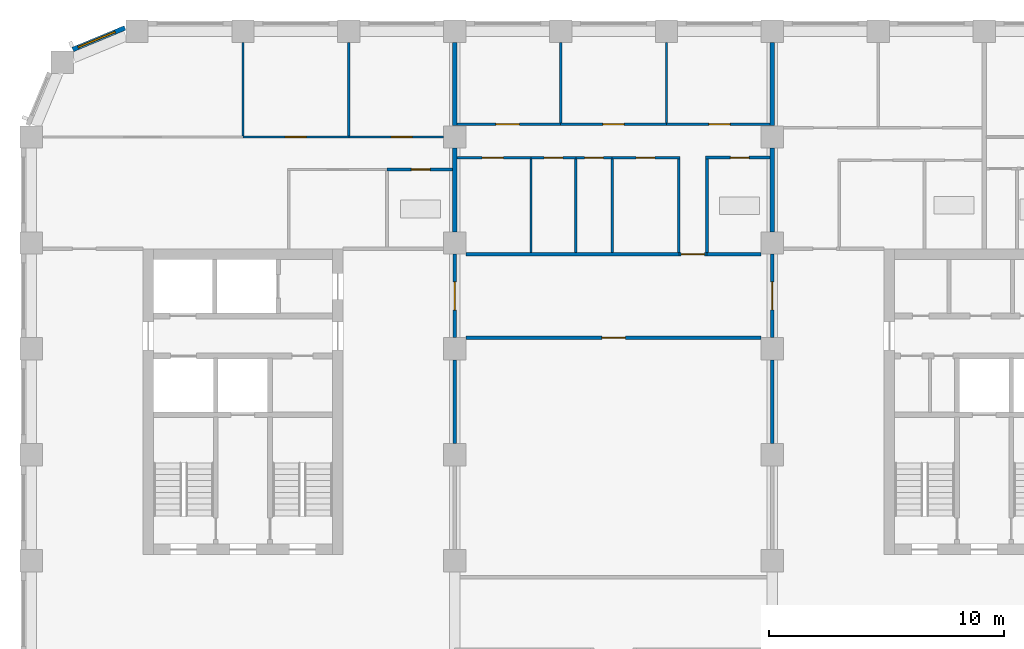
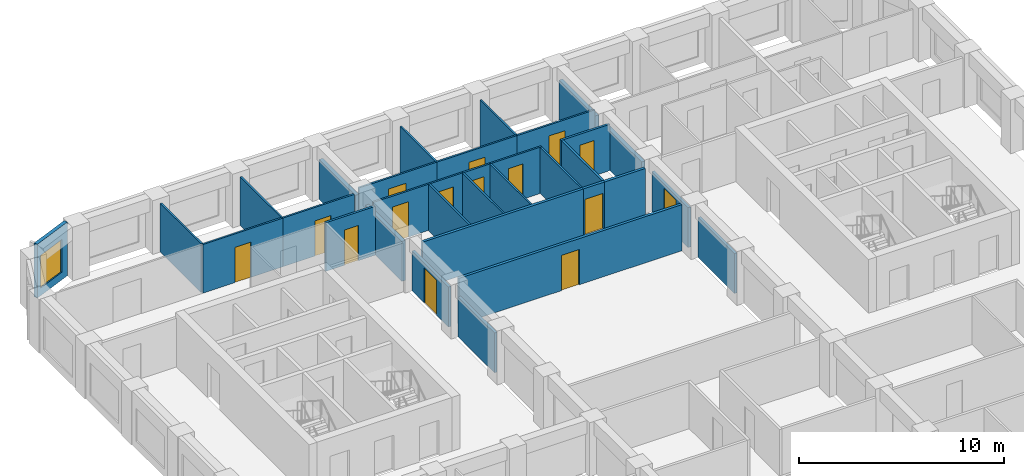
# One storey, part 7 of 13: 33 walls, 15 doors, 1 window, 16 openings.
"""IFC4 building model written with IfcOpenShell, lengths in metres."""

from ifc_helpers import new_model, si_unit, direction, frame, frame_2d, origin, place, context, subcontext, project, spatial, rectangle, extrude, material, layer, layer_set, type_object, element, fill, save


model = new_model("IFC4")

# Units and contexts
model_context = context("Model", 3, precision=1e-05, world=origin(), true_north=direction((0.0, 1.0)))
body_context = subcontext(model_context, "Body", "Model", "MODEL_VIEW")
ifc_project = project(units=[si_unit("LENGTHUNIT", "METRE"), si_unit("AREAUNIT", "SQUARE_METRE"), si_unit("VOLUMEUNIT", "CUBIC_METRE"), si_unit("PLANEANGLEUNIT", "RADIAN"), si_unit("MASSUNIT", "GRAM", prefix="KILO")], contexts=[model_context])

# Site, building, storey
site_placement = place(None, origin())
site = spatial("IfcSite", under=ifc_project, at=site_placement, CompositionType="ELEMENT")
building_placement = place(site_placement, origin())
building = spatial("IfcBuilding", under=site, at=building_placement, Name="Girih Gate Residences", CompositionType="ELEMENT")
storey_placement = place(building_placement, frame((0.0, 0.0, 136.60009765625)))
storey = spatial("IfcBuildingStorey", under=building, at=storey_placement, Name="L38", CompositionType="ELEMENT", Elevation=136.60009765625)

# Wall
ifc_material_1 = material(Name="Gypsum board on steel studs", Category="steel")
ifc_layer_1 = layer(ifc_material_1, 0.14990234375)
ifc_layer_set_1 = layer_set([ifc_layer_1], Name="Compartment wall 150 mm")
wall_type_1 = type_object("IfcWallType", Name="Compartment wall 150 mm", PredefinedType="PARTITIONING", material=ifc_layer_set_1)
wall_1_placement = place(storey_placement, frame((28.72509765625, 40.02490234375, 0.0), z_axis=(0.0, 0.0, 1.0), x_axis=(1.0, 0.0, 0.0)))
element("IfcWall", 1, at=wall_1_placement, inside=storey, type_object=wall_type_1, Name="L38 partition", PredefinedType="PARTITIONING", context=body_context, shape_type="SweptSolid", body=[
    extrude(rectangle(XDim=2.2998046875, YDim=0.14990234375, at=frame_2d((1.14990234375, 0.0))), origin(), (0.0, 0.0, 1.0), 2.75),
])

# Wall, opening, door
wall_2_placement = place(storey_placement, frame((27.52490234375, 40.02490234375, 0.0), z_axis=(0.0, 0.0, 1.0), x_axis=(1.0, 0.0, 0.0)))
wall_2 = element("IfcWall", 2, at=wall_2_placement, inside=storey, type_object=wall_type_1, Name="L38 partition", PredefinedType="PARTITIONING", context=body_context, shape_type="SweptSolid", body=[
    extrude(rectangle(XDim=1.2001953125, YDim=0.14990234375, at=frame_2d((0.60009765625, 0.0))), origin(), (0.0, 0.0, 1.0), 2.75),
])
opening_1_placement = place(wall_2_placement, frame((0.10009765625, 0.0, 0.0)))
opening_1 = element("IfcOpeningElement", 3, at=opening_1_placement, cuts=wall_2, Name="Opening A38-045", PredefinedType="OPENING", context=body_context, shape_type="SweptSolid", body=[
    extrude(rectangle(XDim=1.0, YDim=2.10009765625, at=frame_2d((0.5, 1.050048828125))), frame((0.0, 0.0849609375, 0.0), z_axis=(0.0, -1.0, 0.0), x_axis=(1.0, 0.0, 0.0)), (0.0, 0.0, 1.0), 0.169921875),
])
ifc_material_2 = material(Name="Timber, fire-rated core", Category="wood")
door_type_1 = type_object("IfcDoorType", Name="Flat entrance door 1000x2100 FD30S", OperationType="NOTDEFINED", PredefinedType="DOOR", material=ifc_material_2)
door_1_placement = place(opening_1_placement, origin())
door_1 = element("IfcDoor", 4, at=door_1_placement, inside=storey, type_object=door_type_1, Name="Door A38-045", OperationType="SINGLE_SWING_RIGHT", OverallHeight=2.10009765625, OverallWidth=1.0, PredefinedType="DOOR", context=body_context, shape_type="SweptSolid", body=[
    extrude(rectangle(XDim=1.0, YDim=2.10009765625, at=frame_2d((0.5, 1.050048828125))), frame((0.0, 0.02490234375, 0.0), z_axis=(0.0, -1.0, 0.0), x_axis=(1.0, 0.0, 0.0)), (0.0, 0.0, 1.0), 0.050048828125),
])
fill(opening_1, door_1)

# Wall
wall_3_placement = place(storey_placement, frame((18.47509765625, 40.02490234375, 0.0), z_axis=(0.0, 0.0, 1.0), x_axis=(1.0, 0.0, 0.0)))
element("IfcWall", 5, at=wall_3_placement, inside=storey, type_object=wall_type_1, Name="L38 partition", PredefinedType="PARTITIONING", context=body_context, shape_type="SweptSolid", body=[
    extrude(rectangle(XDim=9.0498046875, YDim=0.14990234375, at=frame_2d((4.52490234375, 0.0))), origin(), (0.0, 0.0, 1.0), 2.75),
])

# Wall, opening, door
wall_4_placement = place(storey_placement, frame((31.02490234375, 36.47509765625, 0.0), z_axis=(0.0, 0.0, 1.0), x_axis=(-1.0, 0.0, 0.0)))
wall_4 = element("IfcWall", 6, at=wall_4_placement, inside=storey, type_object=wall_type_1, Name="L38 partition", PredefinedType="PARTITIONING", context=body_context, shape_type="SweptSolid", body=[
    extrude(rectangle(XDim=12.5498046875, YDim=0.14990234375, at=frame_2d((6.27490234375, 0.0))), origin(), (0.0, 0.0, 1.0), 2.75),
])
opening_2_placement = place(wall_4_placement, frame((5.77490234375, 0.0, 0.0)))
opening_2 = element("IfcOpeningElement", 7, at=opening_2_placement, cuts=wall_4, Name="Opening A38-046", PredefinedType="OPENING", context=body_context, shape_type="SweptSolid", body=[
    extrude(rectangle(XDim=1.0, YDim=2.10009765625, at=frame_2d((0.5, 1.050048828125))), frame((0.0, 0.0849609375, 0.0), z_axis=(0.0, -1.0, 0.0), x_axis=(1.0, 0.0, 0.0)), (0.0, 0.0, 1.0), 0.169921875),
])
door_type_2 = type_object("IfcDoorType", Name="Amenity room door 1000x2100 FD30S", OperationType="NOTDEFINED", PredefinedType="DOOR", material=ifc_material_2)
door_2_placement = place(opening_2_placement, origin())
door_2 = element("IfcDoor", 8, at=door_2_placement, inside=storey, type_object=door_type_2, Name="Door A38-046", OperationType="SINGLE_SWING_RIGHT", OverallHeight=2.10009765625, OverallWidth=1.0, PredefinedType="DOOR", context=body_context, shape_type="SweptSolid", body=[
    extrude(rectangle(XDim=1.0, YDim=2.10009765625, at=frame_2d((0.5, 1.050048828125))), frame((0.0, 0.02490234375, 0.0), z_axis=(0.0, -1.0, 0.0), x_axis=(1.0, 0.0, 0.0)), (0.0, 0.0, 1.0), 0.050048828125),
])
fill(opening_2, door_2)

wall_5_placement = place(storey_placement, frame((31.5, 36.47509765625, 0.0), z_axis=(0.0, 0.0, 1.0), x_axis=(0.0, 1.0, 0.0)))
wall_5 = element("IfcWall", 9, at=wall_5_placement, inside=storey, type_object=wall_type_1, Name="L38 partition", PredefinedType="PARTITIONING", context=body_context, shape_type="SweptSolid", body=[
    extrude(rectangle(XDim=3.5498046875, YDim=0.14990234375, at=frame_2d((1.77490234375, 0.0))), origin(), (0.0, 0.0, 1.0), 2.3798828125),
])
opening_3_placement = place(wall_5_placement, frame((1.175048828125, 0.0, 0.0)))
opening_3 = element("IfcOpeningElement", 10, at=opening_3_placement, cuts=wall_5, Name="Opening A38-047", PredefinedType="OPENING", context=body_context, shape_type="SweptSolid", body=[
    extrude(rectangle(XDim=1.199951171875, YDim=2.10009765625, at=frame_2d((0.60009765625, 1.050048828125))), frame((0.0, 0.0849609375, 0.0), z_axis=(0.0, -1.0, 0.0), x_axis=(1.0, 0.0, 0.0)), (0.0, 0.0, 1.0), 0.169921875),
])
door_type_3 = type_object("IfcDoorType", Name="Corridor fire door 1200x2100 FD30S", OperationType="NOTDEFINED", PredefinedType="DOOR", material=ifc_material_2)
door_3_placement = place(opening_3_placement, origin())
door_3 = element("IfcDoor", 11, at=door_3_placement, inside=storey, type_object=door_type_3, Name="Door A38-047", OperationType="SINGLE_SWING_LEFT", OverallHeight=2.10009765625, OverallWidth=1.199951171875, PredefinedType="DOOR", context=body_context, shape_type="SweptSolid", body=[
    extrude(rectangle(XDim=1.199951171875, YDim=2.10009765625, at=frame_2d((0.60009765625, 1.050048828125))), frame((0.0, 0.02490234375, 0.0), z_axis=(0.0, -1.0, 0.0), x_axis=(1.0, 0.0, 0.0)), (0.0, 0.0, 1.0), 0.050048828125),
])
fill(opening_3, door_3)

wall_6_placement = place(storey_placement, frame((18.0, 40.02490234375, 0.0), z_axis=(0.0, 0.0, 1.0), x_axis=(0.0, -1.0, 0.0)))
wall_6 = element("IfcWall", 12, at=wall_6_placement, inside=storey, type_object=wall_type_1, Name="L38 partition", PredefinedType="PARTITIONING", context=body_context, shape_type="SweptSolid", body=[
    extrude(rectangle(XDim=3.5498046875, YDim=0.14990234375, at=frame_2d((1.77490234375, 0.0))), origin(), (0.0, 0.0, 1.0), 2.3798828125),
])
opening_4_placement = place(wall_6_placement, frame((1.175048828125, 0.0, 0.0)))
opening_4 = element("IfcOpeningElement", 13, at=opening_4_placement, cuts=wall_6, Name="Opening A38-048", PredefinedType="OPENING", context=body_context, shape_type="SweptSolid", body=[
    extrude(rectangle(XDim=1.199951171875, YDim=2.10009765625, at=frame_2d((0.60009765625, 1.050048828125))), frame((0.0, 0.0849609375, 0.0), z_axis=(0.0, -1.0, 0.0), x_axis=(1.0, 0.0, 0.0)), (0.0, 0.0, 1.0), 0.169921875),
])
door_4_placement = place(opening_4_placement, origin())
door_4 = element("IfcDoor", 14, at=door_4_placement, inside=storey, type_object=door_type_3, Name="Door A38-048", OperationType="SINGLE_SWING_LEFT", OverallHeight=2.10009765625, OverallWidth=1.199951171875, PredefinedType="DOOR", context=body_context, shape_type="SweptSolid", body=[
    extrude(rectangle(XDim=1.199951171875, YDim=2.10009765625, at=frame_2d((0.60009765625, 1.050048828125))), frame((0.0, 0.02490234375, 0.0), z_axis=(0.0, -1.0, 0.0), x_axis=(1.0, 0.0, 0.0)), (0.0, 0.0, 1.0), 0.050048828125),
])
fill(opening_4, door_4)

# Walls
for number, where, z_axis, x_axis, name in (
    (15, (31.5, 31.97509765625, 0.0), (0.0, 0.0, 1.0), (0.0, 1.0, 0.0), "L38 partition"),
    (16, (18.0, 31.97509765625, 0.0), (0.0, 0.0, 1.0), (0.0, 1.0, 0.0), "L38 partition"),
):
    element("IfcWall", number, at=place(storey_placement, frame(where, z_axis=z_axis, x_axis=x_axis)), inside=storey, type_object=wall_type_1, Name=name, PredefinedType="PARTITIONING", context=body_context, shape_type="SweptSolid", body=[
        extrude(rectangle(XDim=3.5498046875, YDim=0.14990234375, at=frame_2d((1.77490234375, 0.0))), origin(), (0.0, 0.0, 1.0), 2.3798828125),
    ])
ifc_layer_2 = layer(ifc_material_1, 0.10009765625)
ifc_layer_set_2 = layer_set([ifc_layer_2], Name="Partition 100 mm")
wall_type_2 = type_object("IfcWallType", Name="Partition 100 mm", PredefinedType="PARTITIONING", material=ifc_layer_set_2)
wall_7_placement = place(storey_placement, frame((13.5, 45.050048828125, 0.0), z_axis=(0.0, 0.0, 1.0), x_axis=(0.0, 1.0, 0.0)))
element("IfcWall", 17, at=wall_7_placement, inside=storey, type_object=wall_type_2, Name="L38 partition", PredefinedType="PARTITIONING", context=body_context, shape_type="SweptSolid", body=[
    extrude(rectangle(XDim=3.974853515625, YDim=0.10009765625, at=frame_2d((1.9873046875, 0.0))), origin(), (0.0, 0.0, 1.0), 2.89990234375),
])

# Wall, opening, door
wall_8_placement = place(storey_placement, frame((9.0, 45.0, 0.0), z_axis=(0.0, 0.0, 1.0), x_axis=(1.0, 0.0, 0.0)))
wall_8 = element("IfcWall", 18, at=wall_8_placement, inside=storey, type_object=wall_type_2, Name="L38 partition", PredefinedType="PARTITIONING", context=body_context, shape_type="SweptSolid", body=[
    extrude(rectangle(XDim=4.5, YDim=0.10009765625, at=frame_2d((2.25, 0.0))), origin(), (0.0, 0.0, 1.0), 2.89990234375),
])
opening_5_placement = place(wall_8_placement, frame((1.800048828125, 0.0, 0.0)))
opening_5 = element("IfcOpeningElement", 19, at=opening_5_placement, cuts=wall_8, Name="Opening A38-012", PredefinedType="OPENING", context=body_context, shape_type="SweptSolid", body=[
    extrude(rectangle(XDim=0.89990234375, YDim=2.10009765625, at=frame_2d((0.449951171875, 1.050048828125))), frame((0.0, 0.06005859375, 0.0), z_axis=(0.0, -1.0, 0.0), x_axis=(1.0, 0.0, 0.0)), (0.0, 0.0, 1.0), 0.1201171875),
])
ifc_material_3 = material(Name="Timber", Category="wood")
door_type_4 = type_object("IfcDoorType", Name="Bedroom door 900x2100", OperationType="NOTDEFINED", PredefinedType="DOOR", material=ifc_material_3)
door_5_placement = place(opening_5_placement, origin())
door_5 = element("IfcDoor", 20, at=door_5_placement, inside=storey, type_object=door_type_4, Name="Door A38-012", OperationType="SINGLE_SWING_LEFT", OverallHeight=2.10009765625, OverallWidth=0.89990234375, PredefinedType="DOOR", context=body_context, shape_type="SweptSolid", body=[
    extrude(rectangle(XDim=0.89990234375, YDim=2.10009765625, at=frame_2d((0.449951171875, 1.050048828125))), frame((0.0, 0.02490234375, 0.0), z_axis=(0.0, -1.0, 0.0), x_axis=(1.0, 0.0, 0.0)), (0.0, 0.0, 1.0), 0.050048828125),
])
fill(opening_5, door_5)

# Wall
wall_9_placement = place(storey_placement, frame((9.0, 45.050048828125, 0.0), z_axis=(0.0, 0.0, 1.0), x_axis=(0.0, 1.0, 0.0)))
element("IfcWall", 21, at=wall_9_placement, inside=storey, type_object=wall_type_2, Name="L38 partition", PredefinedType="PARTITIONING", context=body_context, shape_type="SweptSolid", body=[
    extrude(rectangle(XDim=3.974853515625, YDim=0.10009765625, at=frame_2d((1.9873046875, 0.0))), origin(), (0.0, 0.0, 1.0), 2.89990234375),
])

# Wall, opening, door
wall_10_placement = place(storey_placement, frame((13.5, 45.0, 0.0), z_axis=(0.0, 0.0, 1.0), x_axis=(1.0, 0.0, 0.0)))
wall_10 = element("IfcWall", 22, at=wall_10_placement, inside=storey, type_object=wall_type_2, Name="L38 partition", PredefinedType="PARTITIONING", context=body_context, shape_type="SweptSolid", body=[
    extrude(rectangle(XDim=4.02490234375, YDim=0.10009765625, at=frame_2d((2.012451171875, 0.0))), origin(), (0.0, 0.0, 1.0), 2.89990234375),
])
opening_6_placement = place(wall_10_placement, frame((1.800048828125, 0.0, 0.0)))
opening_6 = element("IfcOpeningElement", 23, at=opening_6_placement, cuts=wall_10, Name="Opening A38-013", PredefinedType="OPENING", context=body_context, shape_type="SweptSolid", body=[
    extrude(rectangle(XDim=0.89990234375, YDim=2.10009765625, at=frame_2d((0.449951171875, 1.050048828125))), frame((0.0, 0.06005859375, 0.0), z_axis=(0.0, -1.0, 0.0), x_axis=(1.0, 0.0, 0.0)), (0.0, 0.0, 1.0), 0.1201171875),
])
door_6_placement = place(opening_6_placement, origin())
door_6 = element("IfcDoor", 24, at=door_6_placement, inside=storey, type_object=door_type_4, Name="Door A38-013", OperationType="SINGLE_SWING_RIGHT", OverallHeight=2.10009765625, OverallWidth=0.89990234375, PredefinedType="DOOR", context=body_context, shape_type="SweptSolid", body=[
    extrude(rectangle(XDim=0.89990234375, YDim=2.10009765625, at=frame_2d((0.449951171875, 1.050048828125))), frame((0.0, 0.02490234375, 0.0), z_axis=(0.0, -1.0, 0.0), x_axis=(1.0, 0.0, 0.0)), (0.0, 0.0, 1.0), 0.050048828125),
])
fill(opening_6, door_6)

# Wall
wall_11_placement = place(storey_placement, frame((27.0, 45.594970703125, 0.0), z_axis=(0.0, 0.0, 1.0), x_axis=(0.0, 1.0, 0.0)))
element("IfcWall", 25, at=wall_11_placement, inside=storey, type_object=wall_type_2, Name="L38 partition", PredefinedType="PARTITIONING", context=body_context, shape_type="SweptSolid", body=[
    extrude(rectangle(XDim=3.429931640625, YDim=0.10009765625, at=frame_2d((1.71484375, 0.0))), origin(), (0.0, 0.0, 1.0), 2.75),
])

# Wall, opening, door
wall_12_placement = place(storey_placement, frame((22.5, 45.544921875, 0.0), z_axis=(0.0, 0.0, 1.0), x_axis=(1.0, 0.0, 0.0)))
wall_12 = element("IfcWall", 26, at=wall_12_placement, inside=storey, type_object=wall_type_2, Name="L38 partition", PredefinedType="PARTITIONING", context=body_context, shape_type="SweptSolid", body=[
    extrude(rectangle(XDim=4.5, YDim=0.10009765625, at=frame_2d((2.25, 0.0))), origin(), (0.0, 0.0, 1.0), 2.75),
])
opening_7_placement = place(wall_12_placement, frame((1.800048828125, 0.0, 0.0)))
opening_7 = element("IfcOpeningElement", 27, at=opening_7_placement, cuts=wall_12, Name="Opening A38-038", PredefinedType="OPENING", context=body_context, shape_type="SweptSolid", body=[
    extrude(rectangle(XDim=0.89990234375, YDim=2.10009765625, at=frame_2d((0.449951171875, 1.050048828125))), frame((0.0, 0.06005859375, 0.0), z_axis=(0.0, -1.0, 0.0), x_axis=(1.0, 0.0, 0.0)), (0.0, 0.0, 1.0), 0.1201171875),
])
door_7_placement = place(opening_7_placement, origin())
door_7 = element("IfcDoor", 28, at=door_7_placement, inside=storey, type_object=door_type_4, Name="Door A38-038", OperationType="SINGLE_SWING_LEFT", OverallHeight=2.10009765625, OverallWidth=0.89990234375, PredefinedType="DOOR", context=body_context, shape_type="SweptSolid", body=[
    extrude(rectangle(XDim=0.89990234375, YDim=2.10009765625, at=frame_2d((0.449951171875, 1.050048828125))), frame((0.0, 0.02490234375, 0.0), z_axis=(0.0, -1.0, 0.0), x_axis=(1.0, 0.0, 0.0)), (0.0, 0.0, 1.0), 0.050048828125),
])
fill(opening_7, door_7)

# Wall
wall_13_placement = place(storey_placement, frame((22.5, 45.594970703125, 0.0), z_axis=(0.0, 0.0, 1.0), x_axis=(0.0, 1.0, 0.0)))
element("IfcWall", 29, at=wall_13_placement, inside=storey, type_object=wall_type_2, Name="L38 partition", PredefinedType="PARTITIONING", context=body_context, shape_type="SweptSolid", body=[
    extrude(rectangle(XDim=3.429931640625, YDim=0.10009765625, at=frame_2d((1.71484375, 0.0))), origin(), (0.0, 0.0, 1.0), 2.75),
])

# Wall, opening, door
wall_14_placement = place(storey_placement, frame((27.0, 45.544921875, 0.0), z_axis=(0.0, 0.0, 1.0), x_axis=(1.0, 0.0, 0.0)))
wall_14 = element("IfcWall", 30, at=wall_14_placement, inside=storey, type_object=wall_type_2, Name="L38 partition", PredefinedType="PARTITIONING", context=body_context, shape_type="SweptSolid", body=[
    extrude(rectangle(XDim=4.39990234375, YDim=0.10009765625, at=frame_2d((2.199951171875, 0.0))), origin(), (0.0, 0.0, 1.0), 2.75),
])
opening_8_placement = place(wall_14_placement, frame((1.800048828125, 0.0, 0.0)))
opening_8 = element("IfcOpeningElement", 31, at=opening_8_placement, cuts=wall_14, Name="Opening A38-039", PredefinedType="OPENING", context=body_context, shape_type="SweptSolid", body=[
    extrude(rectangle(XDim=0.89990234375, YDim=2.10009765625, at=frame_2d((0.449951171875, 1.050048828125))), frame((0.0, 0.06005859375, 0.0), z_axis=(0.0, -1.0, 0.0), x_axis=(1.0, 0.0, 0.0)), (0.0, 0.0, 1.0), 0.1201171875),
])
door_8_placement = place(opening_8_placement, origin())
door_8 = element("IfcDoor", 32, at=door_8_placement, inside=storey, type_object=door_type_4, Name="Door A38-039", OperationType="SINGLE_SWING_RIGHT", OverallHeight=2.10009765625, OverallWidth=0.89990234375, PredefinedType="DOOR", context=body_context, shape_type="SweptSolid", body=[
    extrude(rectangle(XDim=0.89990234375, YDim=2.10009765625, at=frame_2d((0.449951171875, 1.050048828125))), frame((0.0, 0.02490234375, 0.0), z_axis=(0.0, -1.0, 0.0), x_axis=(1.0, 0.0, 0.0)), (0.0, 0.0, 1.0), 0.050048828125),
])
fill(opening_8, door_8)

wall_15_placement = place(storey_placement, frame((27.574951171875, 44.125, 0.0), z_axis=(0.0, 0.0, 1.0), x_axis=(-1.0, 0.0, 0.0)))
wall_15 = element("IfcWall", 33, at=wall_15_placement, inside=storey, type_object=wall_type_2, Name="L38 partition", PredefinedType="PARTITIONING", context=body_context, shape_type="SweptSolid", body=[
    extrude(rectangle(XDim=2.881103515625, YDim=0.10009765625, at=frame_2d((1.4404296875, 0.0))), origin(), (0.0, 0.0, 1.0), 2.75),
])
opening_9_placement = place(wall_15_placement, frame((1.065673828125, 0.0, 0.0)))
opening_9 = element("IfcOpeningElement", 34, at=opening_9_placement, cuts=wall_15, Name="Opening A38-040", PredefinedType="OPENING", context=body_context, shape_type="SweptSolid", body=[
    extrude(rectangle(XDim=0.800048828125, YDim=2.10009765625, at=frame_2d((0.39990234375, 1.050048828125))), frame((0.0, 0.06005859375, 0.0), z_axis=(0.0, -1.0, 0.0), x_axis=(1.0, 0.0, 0.0)), (0.0, 0.0, 1.0), 0.1201171875),
])
door_type_5 = type_object("IfcDoorType", Name="Store door 800x2100", OperationType="NOTDEFINED", PredefinedType="DOOR", material=ifc_material_3)
door_9_placement = place(opening_9_placement, origin())
door_9 = element("IfcDoor", 35, at=door_9_placement, inside=storey, type_object=door_type_5, Name="Door A38-040", OperationType="SINGLE_SWING_RIGHT", OverallHeight=2.10009765625, OverallWidth=0.800048828125, PredefinedType="DOOR", context=body_context, shape_type="SweptSolid", body=[
    extrude(rectangle(XDim=0.800048828125, YDim=2.10009765625, at=frame_2d((0.39990234375, 1.050048828125))), frame((0.0, 0.02490234375, 0.0), z_axis=(0.0, -1.0, 0.0), x_axis=(1.0, 0.0, 0.0)), (0.0, 0.0, 1.0), 0.050048828125),
])
fill(opening_9, door_9)

# Walls
for number, where, z_axis, x_axis, name in (
    (36, (27.52490234375, 40.10009765625, 0.0), (0.0, 0.0, 1.0), (0.0, 1.0, 0.0), "L38 partition"),
    (37, (24.694091796875, 40.10009765625, 0.0), (0.0, 0.0, 1.0), (0.0, 1.0, 0.0), "L38 partition"),
):
    element("IfcWall", number, at=place(storey_placement, frame(where, z_axis=z_axis, x_axis=x_axis)), inside=storey, type_object=wall_type_2, Name=name, PredefinedType="PARTITIONING", context=body_context, shape_type="SweptSolid", body=[
        extrude(rectangle(XDim=3.974853515625, YDim=0.10009765625, at=frame_2d((1.9873046875, 0.0))), origin(), (0.0, 0.0, 1.0), 2.75),
    ])

# Wall, opening, door
wall_16_placement = place(storey_placement, frame((21.23974609375, 44.125, 0.0), z_axis=(0.0, 0.0, 1.0), x_axis=(-1.0, 0.0, 0.0)))
wall_16 = element("IfcWall", 38, at=wall_16_placement, inside=storey, type_object=wall_type_2, Name="L38 partition", PredefinedType="PARTITIONING", context=body_context, shape_type="SweptSolid", body=[
    extrude(rectangle(XDim=3.1396484375, YDim=0.10009765625, at=frame_2d((1.56982421875, 0.0))), origin(), (0.0, 0.0, 1.0), 2.75),
])
opening_10_placement = place(wall_16_placement, frame((1.169921875, 0.0, 0.0)))
opening_10 = element("IfcOpeningElement", 39, at=opening_10_placement, cuts=wall_16, Name="Opening A38-041", PredefinedType="OPENING", context=body_context, shape_type="SweptSolid", body=[
    extrude(rectangle(XDim=0.89990234375, YDim=2.10009765625, at=frame_2d((0.449951171875, 1.050048828125))), frame((0.0, 0.06005859375, 0.0), z_axis=(0.0, -1.0, 0.0), x_axis=(1.0, 0.0, 0.0)), (0.0, 0.0, 1.0), 0.1201171875),
])
door_type_6 = type_object("IfcDoorType", Name="Kitchen door 900x2100", OperationType="NOTDEFINED", PredefinedType="DOOR", material=ifc_material_3)
door_10_placement = place(opening_10_placement, origin())
door_10 = element("IfcDoor", 40, at=door_10_placement, inside=storey, type_object=door_type_6, Name="Door A38-041", OperationType="SINGLE_SWING_RIGHT", OverallHeight=2.10009765625, OverallWidth=0.89990234375, PredefinedType="DOOR", context=body_context, shape_type="SweptSolid", body=[
    extrude(rectangle(XDim=0.89990234375, YDim=2.10009765625, at=frame_2d((0.449951171875, 1.050048828125))), frame((0.0, 0.02490234375, 0.0), z_axis=(0.0, -1.0, 0.0), x_axis=(1.0, 0.0, 0.0)), (0.0, 0.0, 1.0), 0.050048828125),
])
fill(opening_10, door_10)

wall_17_placement = place(storey_placement, frame((18.10009765625, 45.544921875, 0.0), z_axis=(0.0, 0.0, 1.0), x_axis=(1.0, 0.0, 0.0)))
wall_17 = element("IfcWall", 41, at=wall_17_placement, inside=storey, type_object=wall_type_2, Name="L38 partition", PredefinedType="PARTITIONING", context=body_context, shape_type="SweptSolid", body=[
    extrude(rectangle(XDim=4.39990234375, YDim=0.10009765625, at=frame_2d((2.199951171875, 0.0))), origin(), (0.0, 0.0, 1.0), 2.75),
])
opening_11_placement = place(wall_17_placement, frame((1.64990234375, 0.0, 0.0)))
opening_11 = element("IfcOpeningElement", 42, at=opening_11_placement, cuts=wall_17, Name="Opening A38-042", PredefinedType="OPENING", context=body_context, shape_type="SweptSolid", body=[
    extrude(rectangle(XDim=1.0, YDim=2.10009765625, at=frame_2d((0.5, 1.050048828125))), frame((0.0, 0.06005859375, 0.0), z_axis=(0.0, -1.0, 0.0), x_axis=(1.0, 0.0, 0.0)), (0.0, 0.0, 1.0), 0.1201171875),
])
door_type_7 = type_object("IfcDoorType", Name="Living room door 1000x2100", OperationType="NOTDEFINED", PredefinedType="DOOR", material=ifc_material_3)
door_11_placement = place(opening_11_placement, origin())
door_11 = element("IfcDoor", 43, at=door_11_placement, inside=storey, type_object=door_type_7, Name="Door A38-042", OperationType="SINGLE_SWING_LEFT", OverallHeight=2.10009765625, OverallWidth=1.0, PredefinedType="DOOR", context=body_context, shape_type="SweptSolid", body=[
    extrude(rectangle(XDim=1.0, YDim=2.10009765625, at=frame_2d((0.5, 1.050048828125))), frame((0.0, 0.02490234375, 0.0), z_axis=(0.0, -1.0, 0.0), x_axis=(1.0, 0.0, 0.0)), (0.0, 0.0, 1.0), 0.050048828125),
])
fill(opening_11, door_11)

wall_18_placement = place(storey_placement, frame((24.69384765625, 44.125, 0.0), z_axis=(0.0, 0.0, 1.0), x_axis=(-1.0, 0.0, 0.0)))
wall_18 = element("IfcWall", 44, at=wall_18_placement, inside=storey, type_object=wall_type_2, Name="L38 partition", PredefinedType="PARTITIONING", context=body_context, shape_type="SweptSolid", body=[
    extrude(rectangle(XDim=1.5439453125, YDim=0.10009765625, at=frame_2d((0.77197265625, 0.0))), origin(), (0.0, 0.0, 1.0), 2.75),
])
opening_12_placement = place(wall_18_placement, frame((0.3720703125, 0.0, 0.0)))
opening_12 = element("IfcOpeningElement", 45, at=opening_12_placement, cuts=wall_18, Name="Opening A38-043", PredefinedType="OPENING", context=body_context, shape_type="SweptSolid", body=[
    extrude(rectangle(XDim=0.800048828125, YDim=2.10009765625, at=frame_2d((0.39990234375, 1.050048828125))), frame((0.0, 0.06005859375, 0.0), z_axis=(0.0, -1.0, 0.0), x_axis=(1.0, 0.0, 0.0)), (0.0, 0.0, 1.0), 0.1201171875),
])
door_12_placement = place(opening_12_placement, origin())
door_12 = element("IfcDoor", 46, at=door_12_placement, inside=storey, type_object=door_type_5, Name="Door A38-043", OperationType="SINGLE_SWING_LEFT", OverallHeight=2.10009765625, OverallWidth=0.800048828125, PredefinedType="DOOR", context=body_context, shape_type="SweptSolid", body=[
    extrude(rectangle(XDim=0.800048828125, YDim=2.10009765625, at=frame_2d((0.39990234375, 1.050048828125))), frame((0.0, 0.02490234375, 0.0), z_axis=(0.0, -1.0, 0.0), x_axis=(1.0, 0.0, 0.0)), (0.0, 0.0, 1.0), 0.050048828125),
])
fill(opening_12, door_12)

wall_19_placement = place(storey_placement, frame((23.14990234375, 44.125, 0.0), z_axis=(0.0, 0.0, 1.0), x_axis=(-1.0, 0.0, 0.0)))
wall_19 = element("IfcWall", 47, at=wall_19_placement, inside=storey, type_object=wall_type_2, Name="L38 partition", PredefinedType="PARTITIONING", context=body_context, shape_type="SweptSolid", body=[
    extrude(rectangle(XDim=1.91015625, YDim=0.10009765625, at=frame_2d((0.955078125, 0.0))), origin(), (0.0, 0.0, 1.0), 2.75),
])
opening_13_placement = place(wall_19_placement, frame((0.554931640625, 0.0, 0.0)))
opening_13 = element("IfcOpeningElement", 48, at=opening_13_placement, cuts=wall_19, Name="Opening A38-044", PredefinedType="OPENING", context=body_context, shape_type="SweptSolid", body=[
    extrude(rectangle(XDim=0.800048828125, YDim=2.10009765625, at=frame_2d((0.39990234375, 1.050048828125))), frame((0.0, 0.06005859375, 0.0), z_axis=(0.0, -1.0, 0.0), x_axis=(1.0, 0.0, 0.0)), (0.0, 0.0, 1.0), 0.1201171875),
])
door_13_placement = place(opening_13_placement, origin())
door_13 = element("IfcDoor", 49, at=door_13_placement, inside=storey, type_object=door_type_5, Name="Door A38-044", OperationType="SINGLE_SWING_LEFT", OverallHeight=2.10009765625, OverallWidth=0.800048828125, PredefinedType="DOOR", context=body_context, shape_type="SweptSolid", body=[
    extrude(rectangle(XDim=0.800048828125, YDim=2.10009765625, at=frame_2d((0.39990234375, 1.050048828125))), frame((0.0, 0.02490234375, 0.0), z_axis=(0.0, -1.0, 0.0), x_axis=(1.0, 0.0, 0.0)), (0.0, 0.0, 1.0), 0.050048828125),
])
fill(opening_13, door_13)

# Walls
for number, where, z_axis, x_axis, name in (
    (50, (21.239990234375, 40.10009765625, 0.0), (0.0, 0.0, 1.0), (0.0, 1.0, 0.0), "L38 partition"),
    (51, (23.14990234375, 40.10009765625, 0.0), (0.0, 0.0, 1.0), (0.0, 1.0, 0.0), "L38 partition"),
):
    element("IfcWall", number, at=place(storey_placement, frame(where, z_axis=z_axis, x_axis=x_axis)), inside=storey, type_object=wall_type_2, Name=name, PredefinedType="PARTITIONING", context=body_context, shape_type="SweptSolid", body=[
        extrude(rectangle(XDim=3.974853515625, YDim=0.10009765625, at=frame_2d((1.9873046875, 0.0))), origin(), (0.0, 0.0, 1.0), 2.75),
    ])
ifc_layer_3 = layer(ifc_material_1, 0.199951171875)
ifc_layer_set_3 = layer_set([ifc_layer_3], Name="Party wall 200 mm")
wall_type_3 = type_object("IfcWallType", Name="Party wall 200 mm", PredefinedType="PARTITIONING", material=ifc_layer_set_3)
wall_20_placement = place(storey_placement, frame((18.0, 40.97509765625, 0.0), z_axis=(0.0, 0.0, 1.0), x_axis=(0.0, 1.0, 0.0)))
element("IfcWall", 52, at=wall_20_placement, inside=storey, type_object=wall_type_3, Name="L38 partition", PredefinedType="PARTITIONING", context=body_context, shape_type="SweptSolid", body=[
    extrude(rectangle(XDim=3.5498046875, YDim=0.199951171875, at=frame_2d((1.77490234375, 0.0))), origin(), (0.0, 0.0, 1.0), 2.3798828125),
])
wall_21_placement = place(storey_placement, frame((18.0, 45.4951171875, 0.0), z_axis=(0.0, 0.0, 1.0), x_axis=(0.0, 1.0, 0.0)))
element("IfcWall", 53, at=wall_21_placement, inside=storey, type_object=wall_type_3, Name="L38 partition", PredefinedType="PARTITIONING", context=body_context, shape_type="SweptSolid", body=[
    extrude(rectangle(XDim=3.52978515625, YDim=0.199951171875, at=frame_2d((1.764892578125, 0.0))), origin(), (0.0, 0.0, 1.0), 2.3798828125),
])
wall_22_placement = place(storey_placement, frame((31.5, 40.97509765625, 0.0), z_axis=(0.0, 0.0, 1.0), x_axis=(0.0, 1.0, 0.0)))
element("IfcWall", 54, at=wall_22_placement, inside=storey, type_object=wall_type_3, Name="L38 partition", PredefinedType="PARTITIONING", context=body_context, shape_type="SweptSolid", body=[
    extrude(rectangle(XDim=3.5498046875, YDim=0.199951171875, at=frame_2d((1.77490234375, 0.0))), origin(), (0.0, 0.0, 1.0), 2.3798828125),
])
wall_23_placement = place(storey_placement, frame((31.5, 45.4951171875, 0.0), z_axis=(0.0, 0.0, 1.0), x_axis=(0.0, 1.0, 0.0)))
element("IfcWall", 55, at=wall_23_placement, inside=storey, type_object=wall_type_3, Name="L38 partition", PredefinedType="PARTITIONING", context=body_context, shape_type="SweptSolid", body=[
    extrude(rectangle(XDim=3.52978515625, YDim=0.199951171875, at=frame_2d((1.764892578125, 0.0))), origin(), (0.0, 0.0, 1.0), 2.3798828125),
])

# Wall, opening, window
ifc_material_4 = material(Name="Precast concrete C50/60", Category="concrete")
ifc_layer_4 = layer(ifc_material_4, 0.06005859375, Name="Outer leaf")
ifc_material_5 = material(Name="Rigid PIR insulation")
ifc_layer_5 = layer(ifc_material_5, 0.090087890625, Name="Insulation")
ifc_material_6 = material(Name="Precast concrete C40/50", Category="concrete")
ifc_layer_6 = layer(ifc_material_6, 0.050048828125, Name="Inner leaf")
ifc_layer_set_4 = layer_set([ifc_layer_4, ifc_layer_5, ifc_layer_6], Name="Precast concrete C50/60 external wall 200")
wall_type_4 = type_object("IfcWallType", Name="Precast concrete C50/60 external wall 200", PredefinedType="SOLIDWALL", material=ifc_layer_set_4)
wall_24_placement = place(storey_placement, frame((1.76708984375, 48.7197265625, 0.0), z_axis=(0.0, 0.0, 1.0), x_axis=(0.923880599843, 0.382680855588, 0.0)))
wall_24 = element("IfcWall", 56, at=wall_24_placement, inside=storey, type_object=wall_type_4, Name="External wall NW0045_0495.0", PredefinedType="SOLIDWALL", context=body_context, shape_type="SweptSolid", body=[
    extrude(rectangle(XDim=2.402587890625, YDim=0.199951171875, at=frame_2d((1.201171875, 0.0))), origin(), (0.0, 0.0, 1.0), 3.199951171875),
])
opening_14_placement = place(wall_24_placement, frame((0.25146484375, 0.0, 0.449951171875)))
opening_14 = element("IfcOpeningElement", 57, at=opening_14_placement, cuts=wall_24, Name="Opening W-2E", PredefinedType="OPENING", context=body_context, shape_type="SweptSolid", body=[
    extrude(rectangle(XDim=1.699951171875, YDim=1.949951171875, at=frame_2d((0.85009765625, 0.97509765625))), frame((0.0, 0.10986328125, 0.0), z_axis=(0.0, -1.0, 0.0), x_axis=(1.0, 0.0, 0.0)), (0.0, 0.0, 1.0), 0.219970703125),
])
ifc_material_7 = material(Name="Double glazing in aluminium frame", Category="aluminium")
window_type = type_object("IfcWindowType", Name="Window W-2E 1700x1950", PartitioningType="SINGLE_PANEL", PredefinedType="WINDOW", material=ifc_material_7)
window_placement = place(opening_14_placement, origin())
window = element("IfcWindow", 58, at=window_placement, inside=storey, type_object=window_type, Name="Window W-2E NW0045_0495.0", OverallHeight=1.949951171875, OverallWidth=1.699951171875, PartitioningType="SINGLE_PANEL", PredefinedType="WINDOW", context=body_context, shape_type="SweptSolid", body=[
    extrude(rectangle(XDim=1.699951171875, YDim=1.949951171875, at=frame_2d((0.85009765625, 0.97509765625))), frame((0.0, 0.030029296875, 0.0), z_axis=(0.0, -1.0, 0.0), x_axis=(1.0, 0.0, 0.0)), (0.0, 0.0, 1.0), 0.06005859375),
])
fill(opening_14, window)

# Wall, opening, door
ifc_layer_7 = layer(ifc_material_1, 0.125)
ifc_layer_set_5 = layer_set([ifc_layer_7], Name="Wet room wall 125 mm")
wall_type_5 = type_object("IfcWallType", Name="Wet room wall 125 mm", PredefinedType="PARTITIONING", material=ifc_layer_set_5)
wall_25_placement = place(storey_placement, frame((17.89990234375, 43.6201171875, 0.0), z_axis=(0.0, 0.0, 1.0), x_axis=(-1.0, 0.0, 0.0)))
wall_25 = element("IfcWall", 59, at=wall_25_placement, inside=storey, type_object=wall_type_5, Name="L38 partition", PredefinedType="PARTITIONING", context=body_context, shape_type="SweptSolid", body=[
    extrude(rectangle(XDim=2.780517578125, YDim=0.125, at=frame_2d((1.39013671875, 0.0))), origin(), (0.0, 0.0, 1.0), 2.89990234375),
])
opening_15_placement = place(wall_25_placement, frame((0.940185546875, 0.0, 0.0)))
opening_15 = element("IfcOpeningElement", 60, at=opening_15_placement, cuts=wall_25, Name="Opening A38-011", PredefinedType="OPENING", context=body_context, shape_type="SweptSolid", body=[
    extrude(rectangle(XDim=0.800048828125, YDim=2.10009765625, at=frame_2d((0.39990234375, 1.050048828125))), frame((0.0, 0.072509765625, 0.0), z_axis=(0.0, -1.0, 0.0), x_axis=(1.0, 0.0, 0.0)), (0.0, 0.0, 1.0), 0.14501953125),
])
door_type_8 = type_object("IfcDoorType", Name="Bathroom door 800x2100", OperationType="NOTDEFINED", PredefinedType="DOOR", material=ifc_material_3)
door_14_placement = place(opening_15_placement, origin())
door_14 = element("IfcDoor", 61, at=door_14_placement, inside=storey, type_object=door_type_8, Name="Door A38-011", OperationType="SINGLE_SWING_LEFT", OverallHeight=2.10009765625, OverallWidth=0.800048828125, PredefinedType="DOOR", context=body_context, shape_type="SweptSolid", body=[
    extrude(rectangle(XDim=0.800048828125, YDim=2.10009765625, at=frame_2d((0.39990234375, 1.050048828125))), frame((0.0, 0.02490234375, 0.0), z_axis=(0.0, -1.0, 0.0), x_axis=(1.0, 0.0, 0.0)), (0.0, 0.0, 1.0), 0.050048828125),
])
fill(opening_15, door_14)

# Wall
wall_26_placement = place(storey_placement, frame((28.72509765625, 40.10009765625, 0.0), z_axis=(0.0, 0.0, 1.0), x_axis=(0.0, 1.0, 0.0)))
element("IfcWall", 62, at=wall_26_placement, inside=storey, type_object=wall_type_5, Name="L38 partition", PredefinedType="PARTITIONING", context=body_context, shape_type="SweptSolid", body=[
    extrude(rectangle(XDim=3.96240234375, YDim=0.125, at=frame_2d((1.981201171875, 0.0))), origin(), (0.0, 0.0, 1.0), 2.75),
])

# Wall, opening, door
wall_27_placement = place(storey_placement, frame((31.39990234375, 44.125, 0.0), z_axis=(0.0, 0.0, 1.0), x_axis=(-1.0, 0.0, 0.0)))
wall_27 = element("IfcWall", 63, at=wall_27_placement, inside=storey, type_object=wall_type_5, Name="L38 partition", PredefinedType="PARTITIONING", context=body_context, shape_type="SweptSolid", body=[
    extrude(rectangle(XDim=2.7373046875, YDim=0.125, at=frame_2d((1.36865234375, 0.0))), origin(), (0.0, 0.0, 1.0), 2.75),
])
opening_16_placement = place(wall_27_placement, frame((0.887451171875, 0.0, 0.0)))
opening_16 = element("IfcOpeningElement", 64, at=opening_16_placement, cuts=wall_27, Name="Opening A38-037", PredefinedType="OPENING", context=body_context, shape_type="SweptSolid", body=[
    extrude(rectangle(XDim=0.800048828125, YDim=2.10009765625, at=frame_2d((0.39990234375, 1.050048828125))), frame((0.0, 0.072509765625, 0.0), z_axis=(0.0, -1.0, 0.0), x_axis=(1.0, 0.0, 0.0)), (0.0, 0.0, 1.0), 0.14501953125),
])
door_15_placement = place(opening_16_placement, origin())
door_15 = element("IfcDoor", 65, at=door_15_placement, inside=storey, type_object=door_type_8, Name="Door A38-037", OperationType="SINGLE_SWING_LEFT", OverallHeight=2.10009765625, OverallWidth=0.800048828125, PredefinedType="DOOR", context=body_context, shape_type="SweptSolid", body=[
    extrude(rectangle(XDim=0.800048828125, YDim=2.10009765625, at=frame_2d((0.39990234375, 1.050048828125))), frame((0.0, 0.02490234375, 0.0), z_axis=(0.0, -1.0, 0.0), x_axis=(1.0, 0.0, 0.0)), (0.0, 0.0, 1.0), 0.050048828125),
])
fill(opening_16, door_15)

save(model, "model.ifc")
